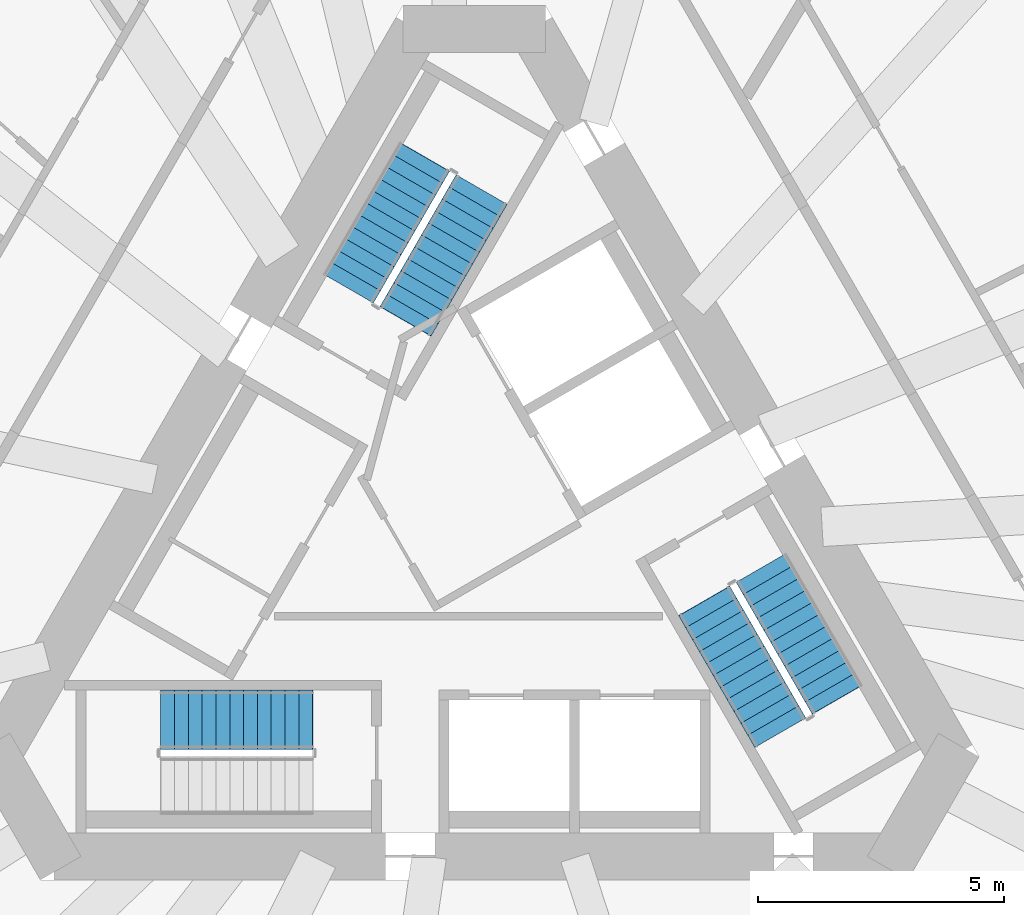
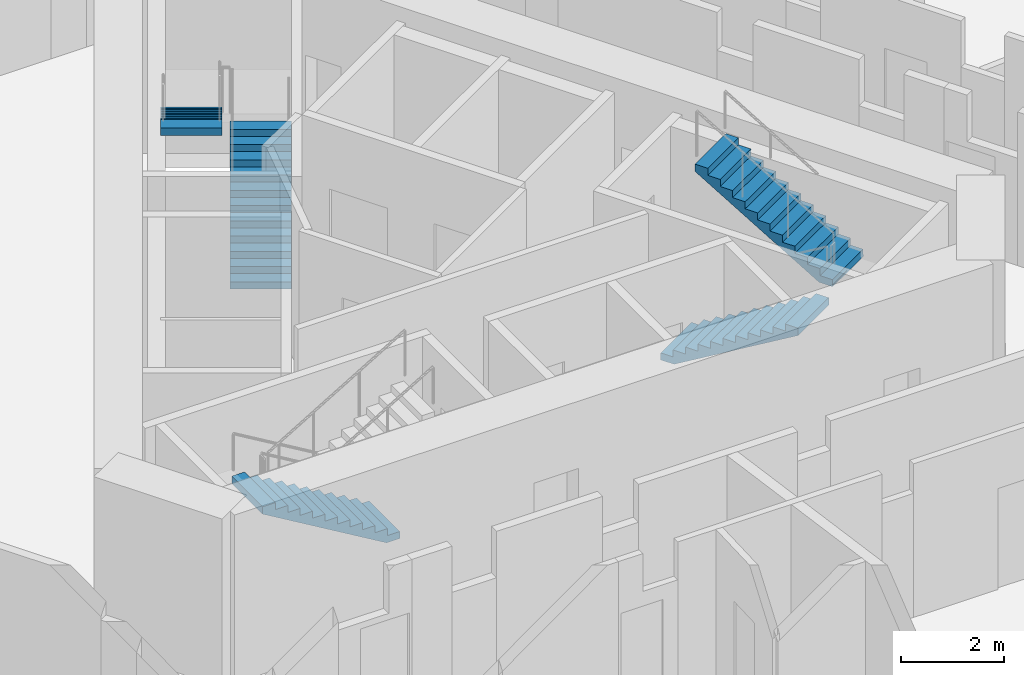
# One storey, part 10 of 13: 5 stair flights, 3 elements without a shape of their own.
"""IFC4 building model written with IfcOpenShell, lengths in metres."""

from ifc_helpers import new_model, si_unit, direction, frame, origin, place, context, subcontext, project, spatial, polyline, outline, extrude, material, layer, layer_set, type_object, element, aggregate, save


model = new_model("IFC4")

# Units and contexts
model_context = context("Model", 3, precision=1e-05, world=origin(), true_north=direction((0.0, 1.0)))
body_context = subcontext(model_context, "Body", "Model", "MODEL_VIEW")
ifc_project = project(units=[si_unit("LENGTHUNIT", "METRE"), si_unit("AREAUNIT", "SQUARE_METRE"), si_unit("VOLUMEUNIT", "CUBIC_METRE"), si_unit("PLANEANGLEUNIT", "RADIAN"), si_unit("MASSUNIT", "GRAM", prefix="KILO")], contexts=[model_context])

# Site, building, storey
site_placement = place(None, origin())
site = spatial("IfcSite", under=ifc_project, at=site_placement, CompositionType="ELEMENT")
building_placement = place(site_placement, origin())
building = spatial("IfcBuilding", under=site, at=building_placement, Name="Tramontana Tower", CompositionType="ELEMENT")
storey_placement = place(building_placement, frame((0.0, 0.0, 104.39990234375)))
storey = spatial("IfcBuildingStorey", under=building, at=storey_placement, Name="L23", CompositionType="ELEMENT", Elevation=104.39990234375)

# Stair, stair flights
ifc_material_1 = material(Name="Concrete 40 MPa", Category="concrete")
stair_type = type_object("IfcStairType", Name="EXIT STAIR 24 RISERS", PredefinedType="HALF_TURN_STAIR", material=ifc_material_1)
stair_1_placement = place(storey_placement, origin())
stair_1 = element("IfcStair", 1, at=stair_1_placement, inside=storey, type_object=stair_type, Name="L23 Exit stair ST1", PredefinedType="HALF_TURN_STAIR")
ifc_material_2 = material(Name="Concrete 40 MPa", Category="concrete")
ifc_layer = layer(ifc_material_2, 0.14990234375)
ifc_layer_set = layer_set([ifc_layer], Name="EXIT STAIR FLIGHT")
stair_flight_type = type_object("IfcStairFlightType", Name="EXIT STAIR FLIGHT", PredefinedType="STRAIGHT", material=ifc_layer_set)
stair_flight_1_placement = place(storey_placement, frame((-1.39111328125, 4.590576171875, 0.0), z_axis=(0.0, 0.0, 1.0), x_axis=(0.5, 0.866025403784, 0.0)))
stair_flight_1 = element("IfcStairFlight", 2, at=stair_flight_1_placement, type_object=stair_flight_type, Name="ST1 flight 1", NumberOfRisers=12, NumberOfTreads=11, PredefinedType="STRAIGHT", RiserHeight=0.166666667, TreadLength=0.28, context=body_context, shape_type="SweptSolid", body=[
    extrude(outline(polyline([(-0.006103515625, 0.0), (-0.006103515625, 0.0400390625), (0.0, 0.0400390625), (0.0, 0.166748046875), (0.280029296875, 0.166748046875), (0.280029296875, 0.333251953125), (0.56005859375, 0.333251953125), (0.56005859375, 0.5), (0.840087890625, 0.5), (0.840087890625, 0.666748046875), (1.1201171875, 0.666748046875), (1.1201171875, 0.833251953125), (1.39990234375, 0.833251953125), (1.39990234375, 1.0), (1.679931640625, 1.0), (1.679931640625, 1.166748046875), (1.9599609375, 1.166748046875), (1.9599609375, 1.333251953125), (2.239990234375, 1.333251953125), (2.239990234375, 1.5), (2.52001953125, 1.5), (2.52001953125, 1.666748046875), (2.800048828125, 1.666748046875), (2.800048828125, 1.833251953125), (3.080078125, 1.833251953125), (3.0859375, 1.833251953125), (3.0859375, 1.658935546875), (0.299072265625, 0.0), (-0.006103515625, 0.0)])), frame((0.0, 0.60009765625, 0.0), z_axis=(0.0, -1.0, 0.0), x_axis=(1.0, 0.0, 0.0)), (0.0, 0.0, 1.0), 1.199951171875),
])
stair_flight_2_placement = place(storey_placement, frame((-1.020263671875, 7.932861328125, 2.0), z_axis=(0.0, 0.0, 1.0), x_axis=(-0.5, -0.866025403784, 0.0)))
stair_flight_2 = element("IfcStairFlight", 3, at=stair_flight_2_placement, type_object=stair_flight_type, Name="ST1 flight 2", NumberOfRisers=12, NumberOfTreads=11, PredefinedType="STRAIGHT", RiserHeight=0.166666667, TreadLength=0.28, context=body_context, shape_type="SweptSolid", body=[
    extrude(outline(polyline([(-0.006103515625, 0.0), (-0.006103515625, 0.0400390625), (0.0, 0.0400390625), (0.0, 0.166748046875), (0.280029296875, 0.166748046875), (0.280029296875, 0.333251953125), (0.56005859375, 0.333251953125), (0.56005859375, 0.5), (0.840087890625, 0.5), (0.840087890625, 0.666748046875), (1.1201171875, 0.666748046875), (1.1201171875, 0.833251953125), (1.39990234375, 0.833251953125), (1.39990234375, 1.0), (1.679931640625, 1.0), (1.679931640625, 1.166748046875), (1.9599609375, 1.166748046875), (1.9599609375, 1.333251953125), (2.239990234375, 1.333251953125), (2.239990234375, 1.5), (2.52001953125, 1.5), (2.52001953125, 1.666748046875), (2.800048828125, 1.666748046875), (2.800048828125, 1.833251953125), (3.080078125, 1.833251953125), (3.0859375, 1.833251953125), (3.0859375, 1.658935546875), (0.299072265625, 0.0), (-0.006103515625, 0.0)])), frame((0.0, 0.60009765625, 0.0), z_axis=(0.0, -1.0, 0.0), x_axis=(1.0, 0.0, 0.0)), (0.0, 0.0, 1.0), 1.199951171875),
])
aggregate(stair_1, [stair_flight_1, stair_flight_2])

# Stair, stair flight
stair_2_placement = place(storey_placement, origin())
stair_2 = element("IfcStair", 4, at=stair_2_placement, inside=storey, type_object=stair_type, Name="L23 Exit stair ST2", PredefinedType="HALF_TURN_STAIR")
stair_flight_3_placement = place(storey_placement, frame((-3.280029296875, -3.5, 0.0), z_axis=(0.0, 0.0, 1.0), x_axis=(-1.0, 0.0, 0.0)))
stair_flight_3 = element("IfcStairFlight", 5, at=stair_flight_3_placement, type_object=stair_flight_type, Name="ST2 flight 1", NumberOfRisers=12, NumberOfTreads=11, PredefinedType="STRAIGHT", RiserHeight=0.166666667, TreadLength=0.28, context=body_context, shape_type="SweptSolid", body=[
    extrude(outline(polyline([(-0.006103515625, 0.0), (-0.006103515625, 0.0400390625), (0.0, 0.0400390625), (0.0, 0.166748046875), (0.280029296875, 0.166748046875), (0.280029296875, 0.333251953125), (0.56005859375, 0.333251953125), (0.56005859375, 0.5), (0.840087890625, 0.5), (0.840087890625, 0.666748046875), (1.1201171875, 0.666748046875), (1.1201171875, 0.833251953125), (1.39990234375, 0.833251953125), (1.39990234375, 1.0), (1.679931640625, 1.0), (1.679931640625, 1.166748046875), (1.9599609375, 1.166748046875), (1.9599609375, 1.333251953125), (2.239990234375, 1.333251953125), (2.239990234375, 1.5), (2.52001953125, 1.5), (2.52001953125, 1.666748046875), (2.800048828125, 1.666748046875), (2.800048828125, 1.833251953125), (3.080078125, 1.833251953125), (3.0859375, 1.833251953125), (3.0859375, 1.658935546875), (0.299072265625, 0.0), (-0.006103515625, 0.0)])), frame((0.0, 0.60009765625, 0.0), z_axis=(0.0, -1.0, 0.0), x_axis=(1.0, 0.0, 0.0)), (0.0, 0.0, 1.0), 1.199951171875),
])
aggregate(stair_2, [stair_flight_3])

# Stair, stair flights
stair_3_placement = place(storey_placement, origin())
stair_3 = element("IfcStair", 6, at=stair_3_placement, inside=storey, type_object=stair_type, Name="L23 Exit stair ST3", PredefinedType="HALF_TURN_STAIR")
stair_flight_4_placement = place(storey_placement, frame((4.671142578125, -1.090576171875, 0.0), z_axis=(0.0, 0.0, 1.0), x_axis=(0.5, -0.866025403784, 0.0)))
stair_flight_4 = element("IfcStairFlight", 7, at=stair_flight_4_placement, type_object=stair_flight_type, Name="ST3 flight 1", NumberOfRisers=12, NumberOfTreads=11, PredefinedType="STRAIGHT", RiserHeight=0.166666667, TreadLength=0.28, context=body_context, shape_type="SweptSolid", body=[
    extrude(outline(polyline([(-0.006103515625, 0.0), (-0.006103515625, 0.0400390625), (0.0, 0.0400390625), (0.0, 0.166748046875), (0.280029296875, 0.166748046875), (0.280029296875, 0.333251953125), (0.56005859375, 0.333251953125), (0.56005859375, 0.5), (0.840087890625, 0.5), (0.840087890625, 0.666748046875), (1.1201171875, 0.666748046875), (1.1201171875, 0.833251953125), (1.39990234375, 0.833251953125), (1.39990234375, 1.0), (1.679931640625, 1.0), (1.679931640625, 1.166748046875), (1.9599609375, 1.166748046875), (1.9599609375, 1.333251953125), (2.239990234375, 1.333251953125), (2.239990234375, 1.5), (2.52001953125, 1.5), (2.52001953125, 1.666748046875), (2.800048828125, 1.666748046875), (2.800048828125, 1.833251953125), (3.080078125, 1.833251953125), (3.0859375, 1.833251953125), (3.0859375, 1.658935546875), (0.299072265625, 0.0), (-0.006103515625, 0.0)])), frame((0.0, 0.60009765625, 0.0), z_axis=(0.0, -1.0, 0.0), x_axis=(1.0, 0.0, 0.0)), (0.0, 0.0, 1.0), 1.199951171875),
])
stair_flight_5_placement = place(storey_placement, frame((7.380126953125, -3.0830078125, 2.0), z_axis=(0.0, 0.0, 1.0), x_axis=(-0.5, 0.866025403784, 0.0)))
stair_flight_5 = element("IfcStairFlight", 8, at=stair_flight_5_placement, type_object=stair_flight_type, Name="ST3 flight 2", NumberOfRisers=12, NumberOfTreads=11, PredefinedType="STRAIGHT", RiserHeight=0.166666667, TreadLength=0.28, context=body_context, shape_type="SweptSolid", body=[
    extrude(outline(polyline([(-0.006103515625, 0.0), (-0.006103515625, 0.0400390625), (0.0, 0.0400390625), (0.0, 0.166748046875), (0.280029296875, 0.166748046875), (0.280029296875, 0.333251953125), (0.56005859375, 0.333251953125), (0.56005859375, 0.5), (0.840087890625, 0.5), (0.840087890625, 0.666748046875), (1.1201171875, 0.666748046875), (1.1201171875, 0.833251953125), (1.39990234375, 0.833251953125), (1.39990234375, 1.0), (1.679931640625, 1.0), (1.679931640625, 1.166748046875), (1.9599609375, 1.166748046875), (1.9599609375, 1.333251953125), (2.239990234375, 1.333251953125), (2.239990234375, 1.5), (2.52001953125, 1.5), (2.52001953125, 1.666748046875), (2.800048828125, 1.666748046875), (2.800048828125, 1.833251953125), (3.080078125, 1.833251953125), (3.0859375, 1.833251953125), (3.0859375, 1.658935546875), (0.299072265625, 0.0), (-0.006103515625, 0.0)])), frame((0.0, 0.60009765625, 0.0), z_axis=(0.0, -1.0, 0.0), x_axis=(1.0, 0.0, 0.0)), (0.0, 0.0, 1.0), 1.199951171875),
])
aggregate(stair_3, [stair_flight_4, stair_flight_5])

save(model, "model.ifc")
